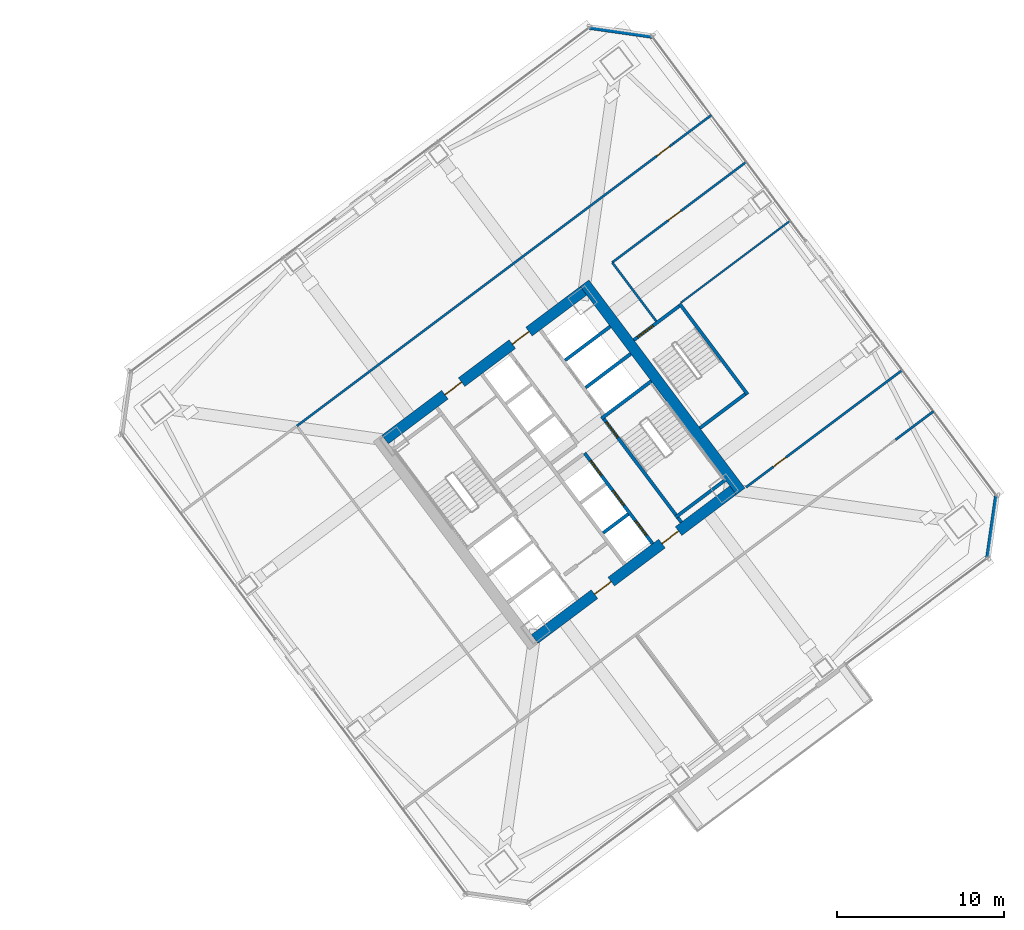
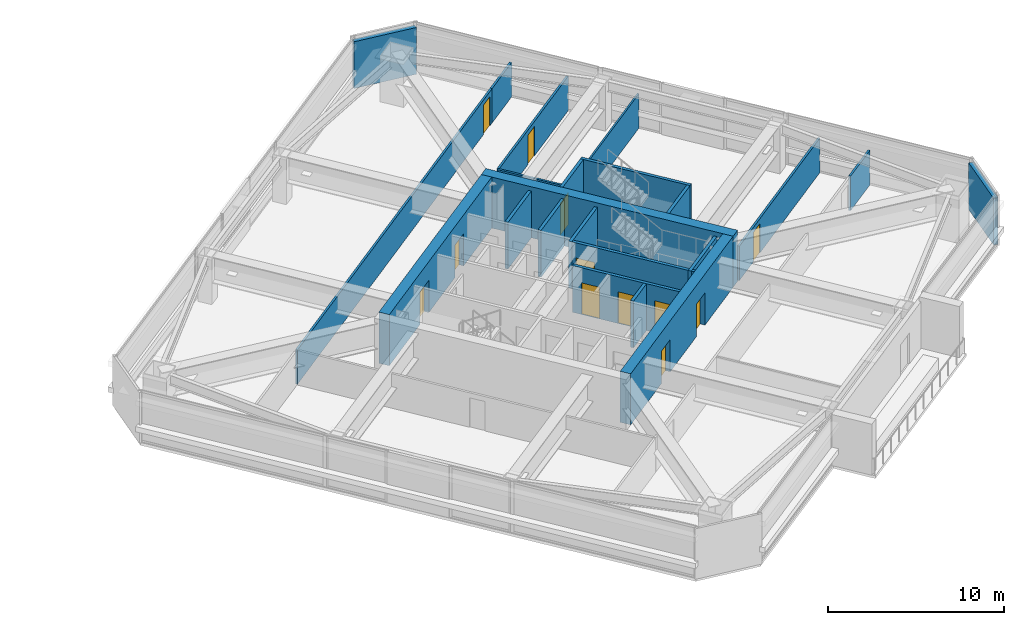
# One storey, part 41 of 49: 22 walls, 12 doors, 12 openings.
"""IFC4 building model written with IfcOpenShell, lengths in metres."""

import ifcopenshell
import ifcopenshell.guid

model = None  # the IFC model being written
_history = None  # IfcOwnerHistory: only IFC2X3 demands one
_inside = {}  # id of a spatial element -> (the spatial element, [elements in it])
_under = {}  # id of a project, library or spatial element -> (it, [spatial elements below it])
_declared = {}  # id of a project -> (the project, [libraries it declares])
_typed = {}  # id of a type object -> (the type object, [elements of that type])
_made_of = {}  # id of a material, layer set ... -> (it, [elements and type objects made of it])


def new_model(schema):
    """Start an empty IFC model of exactly this schema.

    Asked for "IFC4X3", IfcOpenShell would pick the latest addendum, in which some entities
    have other attributes; the version numbers below select the first issue.
    IFC2X3 requires an IfcOwnerHistory on every rooted entity: one is made here for all.
    """
    global model, _history
    if schema == "IFC4X3":
        model = ifcopenshell.file(schema_version=(4, 3, 0, 0))
    else:
        model = ifcopenshell.file(schema=schema)
    _inside.clear()
    _under.clear()
    _declared.clear()
    _typed.clear()
    _made_of.clear()
    _history = None
    if model.schema == "IFC2X3":
        org = make("IfcOrganization", Name="unknown")
        user = make(
            "IfcPersonAndOrganization",
            ThePerson=make("IfcPerson", FamilyName="unknown"),
            TheOrganization=org,
        )
        app = make(
            "IfcApplication",
            ApplicationDeveloper=org,
            Version="unknown",
            ApplicationFullName="unknown",
            ApplicationIdentifier="unknown",
        )
        _history = make(
            "IfcOwnerHistory",
            OwningUser=user,
            OwningApplication=app,
            ChangeAction="ADDED",
            CreationDate=0,
        )
    return model


def make(cls, **values):
    """One entity of the class cls with the attributes given. An attribute that is None is left unset."""
    return model.create_entity(
        cls, **{name: value for name, value in values.items() if value is not None}
    )


def rooted(cls, **values):
    """An entity with a GlobalId (a new one), such as an element, a storey or a relation."""
    return make(cls, GlobalId=ifcopenshell.guid.new(), OwnerHistory=_history, **values)


def si_unit(unit_type, name, prefix=None):
    """IfcSIUnit, for example si_unit("LENGTHUNIT", "METRE", prefix="MILLI")."""
    return make("IfcSIUnit", UnitType=unit_type, Prefix=prefix, Name=name)


def assignment(units):
    """IfcUnitAssignment: the units of a project."""
    return None if units is None else make("IfcUnitAssignment", Units=units)


def point(xyz):
    """IfcCartesianPoint."""
    return None if xyz is None else make("IfcCartesianPoint", Coordinates=xyz)


def direction(xyz):
    """IfcDirection."""
    return None if xyz is None else make("IfcDirection", DirectionRatios=xyz)


def frame(location, z_axis=None, x_axis=None):
    """IfcAxis2Placement3D, a coordinate frame: its origin and axes. An axis left out is left unset."""
    return make(
        "IfcAxis2Placement3D",
        Location=point(location),
        Axis=direction(z_axis),
        RefDirection=direction(x_axis),
    )


def frame_2d(location, x_axis=None):
    """IfcAxis2Placement2D, a coordinate frame in the plane: its origin and x axis."""
    return make(
        "IfcAxis2Placement2D", Location=point(location), RefDirection=direction(x_axis)
    )


def origin():
    """The frame at (0, 0, 0) with its axes left unset."""
    return frame((0.0, 0.0, 0.0))


def place(relative_to, where):
    """IfcLocalPlacement: puts the frame where relative to a parent placement (None: the world)."""
    return make(
        "IfcLocalPlacement", PlacementRelTo=relative_to, RelativePlacement=where
    )


def context(
    kind, dimensions, precision=None, world=None, true_north=None, identifier=None
):
    """IfcGeometricRepresentationContext, for example the 3D "Model" context."""
    return make(
        "IfcGeometricRepresentationContext",
        ContextIdentifier=identifier,
        ContextType=kind,
        CoordinateSpaceDimension=dimensions,
        Precision=precision,
        WorldCoordinateSystem=world,
        TrueNorth=true_north,
    )


def subcontext(parent, identifier, kind, view, scale=None):
    """IfcGeometricRepresentationSubContext, for example "Body" below "Model"."""
    return make(
        "IfcGeometricRepresentationSubContext",
        ContextIdentifier=identifier,
        ContextType=kind,
        ParentContext=parent,
        TargetScale=scale,
        TargetView=view,
    )


def project(units=None, contexts=None):
    """IfcProject with its units and contexts."""
    return rooted(
        "IfcProject",
        Name="project",
        RepresentationContexts=contexts,
        UnitsInContext=assignment(units),
    )


def spatial(cls, under=None, at=None, **own):
    """A site, building, storey or space (cls), placed at a placement, below another one or the project."""
    s = rooted(cls, ObjectPlacement=at, **own)
    if under is not None:
        _under.setdefault(under.id(), (under, []))[1].append(s)
    return s


def profile(cls, at=None, kind="AREA", **sizes):
    """A parametric profile (cls). Its sizes go by their IFC names, for example OverallWidth=200.0."""
    return make(cls, ProfileType=kind, Position=at, **sizes)


def rectangle(**sizes):
    """IfcRectangleProfileDef."""
    return profile("IfcRectangleProfileDef", **sizes)


def extrude(swept, where, along, depth):
    """IfcExtrudedAreaSolid: the profile swept, set in the frame where, extruded along a direction by depth."""
    return make(
        "IfcExtrudedAreaSolid",
        SweptArea=swept,
        Position=where,
        ExtrudedDirection=direction(along),
        Depth=depth,
    )


def shape(context_of_items, identifier, shape_type, items):
    """IfcShapeRepresentation: the items that make up one representation, for example the "Body"."""
    return make(
        "IfcShapeRepresentation",
        ContextOfItems=context_of_items,
        RepresentationIdentifier=identifier,
        RepresentationType=shape_type,
        Items=items,
    )


def material(Name=None, Category=None):
    """IfcMaterial."""
    return make("IfcMaterial", Name=Name, Category=Category)


def layer(
    of_material, thickness, ventilated=None, Name=None, Category=None, Priority=None
):
    """IfcMaterialLayer: one layer of a wall or slab, of a material (None: an air gap)."""
    return make(
        "IfcMaterialLayer",
        Material=of_material,
        LayerThickness=thickness,
        IsVentilated=ventilated,
        Name=Name,
        Category=Category,
        Priority=Priority,
    )


def layer_set(layers, Name=None):
    """IfcMaterialLayerSet."""
    return make("IfcMaterialLayerSet", MaterialLayers=layers, LayerSetName=Name)


def made_of(thing, what):
    """Note that an element or type object is made of a material, layer set ...; save() writes the relation."""
    if what is not None:
        _made_of.setdefault(what.id(), (what, []))[1].append(thing)
    return thing


def type_object(cls, material=None, **own):
    """A type object (cls), such as IfcWallType, which elements share."""
    return made_of(rooted(cls, **own), material)


def element(
    cls,
    number,
    at=None,
    inside=None,
    cuts=None,
    type_object=None,
    material=None,
    context=None,
    identifier="Body",
    shape_type=None,
    held_by="IfcProductDefinitionShape",
    body=None,
    shapes=None,
    **own,
):
    """One element of the class cls, such as IfcWall. Its Tag is "e" and its number.

    at: its placement. inside: the storey or other place that contains it. cuts: it is an
    opening in that element (IfcRelVoidsElement). A single representation is given by context,
    identifier, shape_type and body (its items); several are given by shapes. held_by: the class
    of the entity that holds the representations. save() writes the other relations.
    """
    e = rooted(cls, Tag="e%d" % number, ObjectPlacement=at, **own)
    if body is not None:
        shapes = [shape(context, identifier, shape_type, body)]
    if shapes is not None:
        e.Representation = make(held_by, Representations=shapes)
    if inside is not None:
        _inside.setdefault(inside.id(), (inside, []))[1].append(e)
    if cuts is not None:
        rooted(
            "IfcRelVoidsElement", RelatingBuildingElement=cuts, RelatedOpeningElement=e
        )
    if type_object is not None:
        _typed.setdefault(type_object.id(), (type_object, []))[1].append(e)
    return made_of(e, material)


def fill(opening, filler):
    """IfcRelFillsElement: the door or window that sits in an opening."""
    return rooted(
        "IfcRelFillsElement",
        RelatingOpeningElement=opening,
        RelatedBuildingElement=filler,
    )


def aggregate(whole, parts):
    """IfcRelAggregates: a whole, such as a stair, and the parts it consists of."""
    return rooted("IfcRelAggregates", RelatingObject=whole, RelatedObjects=parts)


def save(model, path):
    """Write the relations noted so far, then the file.

    IfcRelAggregates (storeys below a building ...), IfcRelContainedInSpatialStructure (elements
    in a storey), IfcRelDefinesByType, IfcRelAssociatesMaterial and IfcRelDeclares: one each for
    every whole, place, type object, material and project.
    """
    for whole, parts in _under.values():
        aggregate(whole, parts)
    for where, things in _inside.values():
        rooted(
            "IfcRelContainedInSpatialStructure",
            RelatedElements=things,
            RelatingStructure=where,
        )
    for kind, things in _typed.values():
        rooted("IfcRelDefinesByType", RelatedObjects=things, RelatingType=kind)
    for what, things in _made_of.values():
        rooted("IfcRelAssociatesMaterial", RelatedObjects=things, RelatingMaterial=what)
    for by, libraries in _declared.values():
        rooted("IfcRelDeclares", RelatingContext=by, RelatedDefinitions=libraries)
    model.write(path)


model = new_model("IFC4")

# Units and contexts
model_context = context("Model", 3, precision=1e-05, world=origin(), true_north=direction((0.0, 1.0)))
body_context = subcontext(model_context, "Body", "Model", "MODEL_VIEW")
ifc_project = project(units=[si_unit("LENGTHUNIT", "METRE"), si_unit("AREAUNIT", "SQUARE_METRE"), si_unit("VOLUMEUNIT", "CUBIC_METRE"), si_unit("PLANEANGLEUNIT", "RADIAN"), si_unit("MASSUNIT", "GRAM", prefix="KILO")], contexts=[model_context])

# Site, building, storey
site_placement = place(None, origin())
site = spatial("IfcSite", under=ifc_project, at=site_placement, CompositionType="ELEMENT")
building_placement = place(site_placement, origin())
building = spatial("IfcBuilding", under=site, at=building_placement, Name="Tashvorn Skyway Center", CompositionType="ELEMENT")
storey_placement = place(building_placement, frame((0.0, 0.0, 106.25)))
storey = spatial("IfcBuildingStorey", under=building, at=storey_placement, Name="L28", CompositionType="ELEMENT", Elevation=106.25)

# Wall
ifc_material_1 = material(Name="Concrete C60/75", Category="concrete")
ifc_layer_1 = layer(ifc_material_1, 0.64990234375)
ifc_layer_set_1 = layer_set([ifc_layer_1], Name="Concrete C60/75")
wall_type_1 = type_object("IfcWallType", Name="WALL-CORE-650", PredefinedType="SHEAR", material=ifc_layer_set_1)
wall_1_placement = place(storey_placement, frame((115.52392578125, 42.89306640625, 0.0), z_axis=(0.0, 0.0, 1.0), x_axis=(0.600005007985, -0.799996243986, 0.0)))
element("IfcWall", 1, at=wall_1_placement, inside=storey, type_object=wall_type_1, Name="Tower 2 L28 East Core Shear Wall", PredefinedType="SHEAR", context=body_context, shape_type="SweptSolid", body=[
    extrude(rectangle(XDim=15.60009765625, YDim=0.64990234375, at=frame_2d((7.800048828125, 0.0))), origin(), (0.0, 0.0, 1.0), 3.550048828125),
])

# Wall, openings, doors
wall_2_placement = place(storey_placement, frame((124.428955078125, 30.47802734375, 0.0), z_axis=(0.0, 0.0, 1.0), x_axis=(-0.799998028465, -0.600002628705, 0.0)))
wall_2 = element("IfcWall", 2, at=wall_2_placement, inside=storey, type_object=wall_type_1, Name="Tower 2 L28 South Core Shear Wall", PredefinedType="SHEAR", context=body_context, shape_type="SweptSolid", body=[
    extrude(rectangle(XDim=14.85986328125, YDim=0.64990234375, at=frame_2d((7.429931640625, 0.0))), origin(), (0.0, 0.0, 1.0), 3.550048828125),
])
opening_1_placement = place(wall_2_placement, frame((9.1298828125, 0.0, 0.0)))
opening_1 = element("IfcOpeningElement", 3, at=opening_1_placement, cuts=wall_2, Name="Opening D-FFL-1250", PredefinedType="OPENING", context=body_context, shape_type="SweptSolid", body=[
    extrude(rectangle(XDim=1.25, YDim=2.25, at=frame_2d((0.625, 1.125))), frame((0.0, 0.3349609375, 0.0), z_axis=(0.0, -1.0, 0.0), x_axis=(1.0, 0.0, 0.0)), (0.0, 0.0, 1.0), 0.669921875),
])
opening_2_placement = place(wall_2_placement, frame((4.080078125, 0.0, 0.0)))
opening_2 = element("IfcOpeningElement", 4, at=opening_2_placement, cuts=wall_2, Name="Opening D-FFL-1250", PredefinedType="OPENING", context=body_context, shape_type="SweptSolid", body=[
    extrude(rectangle(XDim=1.25, YDim=2.25, at=frame_2d((0.625, 1.125))), frame((0.0, 0.3349609375, 0.0), z_axis=(0.0, -1.0, 0.0), x_axis=(1.0, 0.0, 0.0)), (0.0, 0.0, 1.0), 0.669921875),
])
ifc_material_2 = material(Name="Hollow galvanized steel fire door assembly", Category="steel")
door_type_1 = type_object("IfcDoorType", Name="DOOR-FFL-1250", OperationType="NOTDEFINED", PredefinedType="DOOR", material=ifc_material_2)
door_1_placement = place(opening_1_placement, origin())
door_1 = element("IfcDoor", 5, at=door_1_placement, inside=storey, type_object=door_type_1, Name="Tower 2 L28 Core South Firefighting Exit Door", OperationType="SINGLE_SWING_LEFT", OverallHeight=2.25, OverallWidth=1.25, PredefinedType="DOOR", context=body_context, shape_type="SweptSolid", body=[
    extrude(rectangle(XDim=1.25, YDim=2.25, at=frame_2d((0.625, 1.125))), frame((0.0, 0.02490234375, 0.0), z_axis=(0.0, -1.0, 0.0), x_axis=(1.0, 0.0, 0.0)), (0.0, 0.0, 1.0), 0.050048828125),
])
fill(opening_1, door_1)
door_2_placement = place(opening_2_placement, origin())
door_2 = element("IfcDoor", 6, at=door_2_placement, inside=storey, type_object=door_type_1, Name="Tower 2 L28 Core South Lift Lobby Door", OperationType="SINGLE_SWING_RIGHT", OverallHeight=2.25, OverallWidth=1.25, PredefinedType="DOOR", context=body_context, shape_type="SweptSolid", body=[
    extrude(rectangle(XDim=1.25, YDim=2.25, at=frame_2d((0.625, 1.125))), frame((0.0, 0.02490234375, 0.0), z_axis=(0.0, -1.0, 0.0), x_axis=(1.0, 0.0, 0.0)), (0.0, 0.0, 1.0), 0.050048828125),
])
fill(opening_2, door_2)

wall_3_placement = place(storey_placement, frame((103.571044921875, 33.52197265625, 0.0), z_axis=(0.0, 0.0, 1.0), x_axis=(0.799998028465, 0.600002628705, 0.0)))
wall_3 = element("IfcWall", 7, at=wall_3_placement, inside=storey, type_object=wall_type_1, Name="Tower 2 L28 North Core Shear Wall", PredefinedType="SHEAR", context=body_context, shape_type="SweptSolid", body=[
    extrude(rectangle(XDim=14.85986328125, YDim=0.64990234375, at=frame_2d((7.429931640625, 0.0))), origin(), (0.0, 0.0, 1.0), 3.550048828125),
])
opening_3_placement = place(wall_3_placement, frame((4.47998046875, 0.0, 0.0)))
opening_3 = element("IfcOpeningElement", 8, at=opening_3_placement, cuts=wall_3, Name="Opening D-FFL-1250", PredefinedType="OPENING", context=body_context, shape_type="SweptSolid", body=[
    extrude(rectangle(XDim=1.25, YDim=2.25, at=frame_2d((0.625, 1.125))), frame((0.0, 0.3349609375, 0.0), z_axis=(0.0, -1.0, 0.0), x_axis=(1.0, 0.0, 0.0)), (0.0, 0.0, 1.0), 0.669921875),
])
opening_4_placement = place(wall_3_placement, frame((9.530029296875, 0.0, 0.0)))
opening_4 = element("IfcOpeningElement", 9, at=opening_4_placement, cuts=wall_3, Name="Opening D-FFL-1250", PredefinedType="OPENING", context=body_context, shape_type="SweptSolid", body=[
    extrude(rectangle(XDim=1.25, YDim=2.25, at=frame_2d((0.625, 1.125))), frame((0.0, 0.3349609375, 0.0), z_axis=(0.0, -1.0, 0.0), x_axis=(1.0, 0.0, 0.0)), (0.0, 0.0, 1.0), 0.669921875),
])
door_3_placement = place(opening_3_placement, origin())
door_3 = element("IfcDoor", 10, at=door_3_placement, inside=storey, type_object=door_type_1, Name="Tower 2 L28 Core North Service Lobby Door", OperationType="SINGLE_SWING_LEFT", OverallHeight=2.25, OverallWidth=1.25, PredefinedType="DOOR", context=body_context, shape_type="SweptSolid", body=[
    extrude(rectangle(XDim=1.25, YDim=2.25, at=frame_2d((0.625, 1.125))), frame((0.0, 0.02490234375, 0.0), z_axis=(0.0, -1.0, 0.0), x_axis=(1.0, 0.0, 0.0)), (0.0, 0.0, 1.0), 0.050048828125),
])
fill(opening_3, door_3)
door_4_placement = place(opening_4_placement, origin())
door_4 = element("IfcDoor", 11, at=door_4_placement, inside=storey, type_object=door_type_1, Name="Tower 2 L28 Core North Lift Lobby Door", OperationType="SINGLE_SWING_RIGHT", OverallHeight=2.25, OverallWidth=1.25, PredefinedType="DOOR", context=body_context, shape_type="SweptSolid", body=[
    extrude(rectangle(XDim=1.25, YDim=2.25, at=frame_2d((0.625, 1.125))), frame((0.0, 0.02490234375, 0.0), z_axis=(0.0, -1.0, 0.0), x_axis=(1.0, 0.0, 0.0)), (0.0, 0.0, 1.0), 0.050048828125),
])
fill(opening_4, door_4)

# Walls
ifc_material_3 = material(Name="Precast concrete C40/50", Category="concrete")
ifc_layer_2 = layer(ifc_material_3, 0.280029296875)
ifc_layer_set_2 = layer_set([ifc_layer_2], Name="Precast concrete C40/50")
wall_type_2 = type_object("IfcWallType", Name="WALL-EXT-280", PredefinedType="SOLIDWALL", material=ifc_layer_set_2)
for number, where, z_axis, x_axis, name in (
    (12, (115.820068359375, 58.239990234375, 0.0), (0.0, 0.0, 1.0), (0.989948214866, -0.141430307517, 0.0), "Tower 2 L28 NE Precast Chamfer Wall"),
    (13, (140.239990234375, 30.179931640625, 0.0), (0.0, 0.0, 1.0), (-0.141430307517, -0.989948214866, 0.0), "Tower 2 L28 SE Precast Chamfer Wall"),
):
    element("IfcWall", number, at=place(storey_placement, frame(where, z_axis=z_axis, x_axis=x_axis)), inside=storey, type_object=wall_type_2, Name=name, PredefinedType="SOLIDWALL", context=body_context, shape_type="SweptSolid", body=[
        extrude(rectangle(XDim=3.818359375, YDim=0.280029296875, at=frame_2d((1.9091796875, 0.0))), origin(), (0.0, 0.0, 1.0), 3.25),
    ])
ifc_material_4 = material(Name="Gypsum board on cold-formed steel stud framing", Category="steel")
ifc_layer_3 = layer(ifc_material_4, 0.110107421875)
ifc_layer_set_3 = layer_set([ifc_layer_3], Name="Gypsum board on cold-formed steel stud framing")
wall_type_3 = type_object("IfcWallType", Name="WALL-PART-110", PredefinedType="PARTITIONING", material=ifc_layer_set_3)
wall_4_placement = place(storey_placement, frame((127.864013671875, 46.64794921875, 0.0), z_axis=(0.0, 0.0, 1.0), x_axis=(-0.800007145523, -0.599990472518, 0.0)))
element("IfcWall", 14, at=wall_4_placement, inside=storey, type_object=wall_type_3, Name="Tower 2 L28 East Suite Partition 1", PredefinedType="PARTITIONING", context=body_context, shape_type="SweptSolid", body=[
    extrude(rectangle(XDim=8.199951171875, YDim=0.110107421875, at=frame_2d((4.10009765625, 0.0))), origin(), (0.0, 0.0, 1.0), 2.39306640625),
])
ifc_layer_4 = layer(ifc_material_4, 0.135009765625)
ifc_layer_set_4 = layer_set([ifc_layer_4], Name="Gypsum board on cold-formed steel stud framing")
wall_type_4 = type_object("IfcWallType", Name="WALL-PART-135", PredefinedType="PARTITIONING", material=ifc_layer_set_4)
wall_5_placement = place(storey_placement, frame((119.823974609375, 40.617919921875, 0.0), z_axis=(0.0, 0.0, 1.0), x_axis=(-0.599982243973, 0.800013316712, 0.0)))
element("IfcWall", 15, at=wall_5_placement, inside=storey, type_object=wall_type_4, Name="Tower 2 L28 Stair 3 Access Corridor Wall", PredefinedType="PARTITIONING", context=body_context, shape_type="SweptSolid", body=[
    extrude(rectangle(XDim=4.39990234375, YDim=0.135009765625, at=frame_2d((2.199951171875, 0.0))), origin(), (0.0, 0.0, 1.0), 2.39306640625),
])

# Wall, opening, door
wall_6_placement = place(storey_placement, frame((98.27587890625, 34.33203125, 0.0), z_axis=(0.0, 0.0, 1.0), x_axis=(0.800003113347, 0.599995848849, 0.0)))
wall_6 = element("IfcWall", 16, at=wall_6_placement, inside=storey, type_object=wall_type_4, Name="Tower 2 L28 North Suite Wall", PredefinedType="PARTITIONING", context=body_context, shape_type="SweptSolid", body=[
    extrude(rectangle(XDim=28.230224609375, YDim=0.135009765625, at=frame_2d((14.115234375, 0.0))), origin(), (0.0, 0.0, 1.0), 2.39306640625),
])
opening_5_placement = place(wall_6_placement, frame((26.97998046875, 0.0, 0.0)))
opening_5 = element("IfcOpeningElement", 17, at=opening_5_placement, cuts=wall_6, Name="Opening D-INT-950", PredefinedType="OPENING", context=body_context, shape_type="SweptSolid", body=[
    extrude(rectangle(XDim=0.949951171875, YDim=2.050048828125, at=frame_2d((0.47509765625, 1.02490234375))), frame((0.0, 0.077392578125, 0.0), z_axis=(0.0, -1.0, 0.0), x_axis=(1.0, 0.0, 0.0)), (0.0, 0.0, 1.0), 0.155029296875),
])
ifc_material_5 = material(Name="Solid-core architectural oak veneer door")
door_type_2 = type_object("IfcDoorType", Name="DOOR-INT-950", OperationType="NOTDEFINED", PredefinedType="DOOR", material=ifc_material_5)
door_5_placement = place(opening_5_placement, origin())
door_5 = element("IfcDoor", 18, at=door_5_placement, inside=storey, type_object=door_type_2, Name="Tower 2 L28 Operations Control Room Door", OperationType="SINGLE_SWING_RIGHT", OverallHeight=2.050048828125, OverallWidth=0.949951171875, PredefinedType="DOOR", context=body_context, shape_type="SweptSolid", body=[
    extrude(rectangle(XDim=0.949951171875, YDim=2.050048828125, at=frame_2d((0.47509765625, 1.02490234375))), frame((0.0, 0.02490234375, 0.0), z_axis=(0.0, -1.0, 0.0), x_axis=(1.0, 0.0, 0.0)), (0.0, 0.0, 1.0), 0.050048828125),
])
fill(opening_5, door_5)

# Walls
wall_7_placement = place(storey_placement, frame((120.860107421875, 51.27001953125, 0.0), z_axis=(0.0, 0.0, 1.0), x_axis=(0.799989647378, 0.600013803248, 0.0)))
element("IfcWall", 19, at=wall_7_placement, inside=storey, type_object=wall_type_4, Name="Tower 2 L28 North-East Suite South Wall", PredefinedType="PARTITIONING", context=body_context, shape_type="SweptSolid", body=[
    extrude(rectangle(XDim=2.829833984375, YDim=0.135009765625, at=frame_2d((1.4150390625, 0.0))), origin(), (0.0, 0.0, 1.0), 2.39306640625),
])
wall_8_placement = place(storey_placement, frame((134.179931640625, 33.510009765625, 0.0), z_axis=(0.0, 0.0, 1.0), x_axis=(0.8000207031, 0.599972394874, 0.0)))
element("IfcWall", 20, at=wall_8_placement, inside=storey, type_object=wall_type_4, Name="Tower 2 L28 South-East Suite North Wall", PredefinedType="PARTITIONING", context=body_context, shape_type="SweptSolid", body=[
    extrude(rectangle(XDim=2.830078125, YDim=0.135009765625, at=frame_2d((1.4150390625, 0.0))), origin(), (0.0, 0.0, 1.0), 2.39306640625),
])

# Wall, opening, door
wall_9_placement = place(storey_placement, frame((125.22412109375, 50.16796875, 0.0), z_axis=(0.0, 0.0, 1.0), x_axis=(-0.8, -0.6, 0.0)))
wall_9 = element("IfcWall", 21, at=wall_9_placement, inside=storey, type_object=wall_type_4, Name="Tower 2 L28 East Suite North Wall", PredefinedType="PARTITIONING", context=body_context, shape_type="SweptSolid", body=[
    extrude(rectangle(XDim=10.050048828125, YDim=0.135009765625, at=frame_2d((5.02490234375, 0.0))), origin(), (0.0, 0.0, 1.0), 2.39306640625),
])
opening_6_placement = place(wall_9_placement, frame((4.89990234375, 0.0, 0.0)))
opening_6 = element("IfcOpeningElement", 22, at=opening_6_placement, cuts=wall_9, Name="Opening D-INT-950", PredefinedType="OPENING", context=body_context, shape_type="SweptSolid", body=[
    extrude(rectangle(XDim=0.949951171875, YDim=2.050048828125, at=frame_2d((0.47509765625, 1.02490234375))), frame((0.0, 0.077392578125, 0.0), z_axis=(0.0, -1.0, 0.0), x_axis=(1.0, 0.0, 0.0)), (0.0, 0.0, 1.0), 0.155029296875),
])
door_6_placement = place(opening_6_placement, origin())
door_6 = element("IfcDoor", 23, at=door_6_placement, inside=storey, type_object=door_type_2, Name="Tower 2 L28 Wellness Clinic Door", OperationType="SINGLE_SWING_LEFT", OverallHeight=2.050048828125, OverallWidth=0.949951171875, PredefinedType="DOOR", context=body_context, shape_type="SweptSolid", body=[
    extrude(rectangle(XDim=0.949951171875, YDim=2.050048828125, at=frame_2d((0.47509765625, 1.02490234375))), frame((0.0, 0.02490234375, 0.0), z_axis=(0.0, -1.0, 0.0), x_axis=(1.0, 0.0, 0.0)), (0.0, 0.0, 1.0), 0.050048828125),
])
fill(opening_6, door_6)

wall_10_placement = place(storey_placement, frame((125.2080078125, 30.656005859375, 0.0), z_axis=(0.0, 0.0, 1.0), x_axis=(0.8, 0.6, 0.0)))
wall_10 = element("IfcWall", 24, at=wall_10_placement, inside=storey, type_object=wall_type_4, Name="Tower 2 L28 East Suite South Wall", PredefinedType="PARTITIONING", context=body_context, shape_type="SweptSolid", body=[
    extrude(rectangle(XDim=11.719970703125, YDim=0.135009765625, at=frame_2d((5.85986328125, 0.0))), origin(), (0.0, 0.0, 1.0), 2.39306640625),
])
opening_7_placement = place(wall_10_placement, frame((2.044921875, 0.0, 0.0)))
opening_7 = element("IfcOpeningElement", 25, at=opening_7_placement, cuts=wall_10, Name="Opening D-INT-950", PredefinedType="OPENING", context=body_context, shape_type="SweptSolid", body=[
    extrude(rectangle(XDim=0.949951171875, YDim=2.050048828125, at=frame_2d((0.47509765625, 1.02490234375))), frame((0.0, 0.077392578125, 0.0), z_axis=(0.0, -1.0, 0.0), x_axis=(1.0, 0.0, 0.0)), (0.0, 0.0, 1.0), 0.155029296875),
])
door_7_placement = place(opening_7_placement, origin())
door_7 = element("IfcDoor", 26, at=door_7_placement, inside=storey, type_object=door_type_2, Name="Tower 2 L28 Public Restroom Door", OperationType="SINGLE_SWING_RIGHT", OverallHeight=2.050048828125, OverallWidth=0.949951171875, PredefinedType="DOOR", context=body_context, shape_type="SweptSolid", body=[
    extrude(rectangle(XDim=0.949951171875, YDim=2.050048828125, at=frame_2d((0.47509765625, 1.02490234375))), frame((0.0, 0.02490234375, 0.0), z_axis=(0.0, -1.0, 0.0), x_axis=(1.0, 0.0, 0.0)), (0.0, 0.0, 1.0), 0.050048828125),
])
fill(opening_7, door_7)

# Walls
ifc_material_6 = material(Name="Concrete C40/50", Category="concrete")
ifc_layer_5 = layer(ifc_material_6, 0.199951171875)
ifc_layer_set_5 = layer_set([ifc_layer_5], Name="Concrete C40/50")
wall_type_5 = type_object("IfcWallType", Name="WALL-SHAFT-200", PredefinedType="SOLIDWALL", material=ifc_layer_set_5)
for number, where, z_axis, x_axis, name in (
    (27, (115.590087890625, 36.6298828125, 0.0), (0.0, 0.0, 1.0), (0.799973995579, 0.600034670996, 0.0), "Tower 2 L28 High-Rise Shaft Divider"),
    (28, (114.360107421875, 38.27001953125, 0.0), (0.0, 0.0, 1.0), (0.799973995579, 0.600034670996, 0.0), "Tower 2 L28 High-Rise Shaft Divider"),
):
    element("IfcWall", number, at=place(storey_placement, frame(where, z_axis=z_axis, x_axis=x_axis)), inside=storey, type_object=wall_type_5, Name=name, PredefinedType="SOLIDWALL", context=body_context, shape_type="SweptSolid", body=[
        extrude(rectangle(XDim=3.3798828125, YDim=0.199951171875, at=frame_2d((1.68994140625, 0.0))), origin(), (0.0, 0.0, 1.0), 3.25),
    ])

# Wall, openings, doors
wall_11_placement = place(storey_placement, frame((119.610107421875, 27.27001953125, 0.0), z_axis=(0.0, 0.0, 1.0), x_axis=(-0.600011488909, 0.79999138319, 0.0)))
wall_11 = element("IfcWall", 29, at=wall_11_placement, inside=storey, type_object=wall_type_5, Name="Tower 2 L28 Low-Rise Core Wall", PredefinedType="SOLIDWALL", context=body_context, shape_type="SweptSolid", body=[
    extrude(rectangle(XDim=6.800048828125, YDim=0.199951171875, at=frame_2d((3.39990234375, 0.0))), origin(), (0.0, 0.0, 1.0), 3.25),
])
opening_8_placement = place(wall_11_placement, frame((0.625, 0.0, 0.0)))
opening_8 = element("IfcOpeningElement", 30, at=opening_8_placement, cuts=wall_11, Name="Opening LD-LR-T2-1-L28", PredefinedType="OPENING", context=body_context, shape_type="SweptSolid", body=[
    extrude(rectangle(XDim=1.10009765625, YDim=2.199951171875, at=frame_2d((0.550048828125, 1.10009765625))), frame((0.0, 0.10986328125, 0.0), z_axis=(0.0, -1.0, 0.0), x_axis=(1.0, 0.0, 0.0)), (0.0, 0.0, 1.0), 0.219970703125),
])
opening_9_placement = place(wall_11_placement, frame((2.875, 0.0, 0.0)))
opening_9 = element("IfcOpeningElement", 31, at=opening_9_placement, cuts=wall_11, Name="Opening LD-LR-T2-2-L28", PredefinedType="OPENING", context=body_context, shape_type="SweptSolid", body=[
    extrude(rectangle(XDim=1.10009765625, YDim=2.199951171875, at=frame_2d((0.550048828125, 1.10009765625))), frame((0.0, 0.10986328125, 0.0), z_axis=(0.0, -1.0, 0.0), x_axis=(1.0, 0.0, 0.0)), (0.0, 0.0, 1.0), 0.219970703125),
])
opening_10_placement = place(wall_11_placement, frame((5.125, 0.0, 0.0)))
opening_10 = element("IfcOpeningElement", 32, at=opening_10_placement, cuts=wall_11, Name="Opening LD-LR-T2-3-L28", PredefinedType="OPENING", context=body_context, shape_type="SweptSolid", body=[
    extrude(rectangle(XDim=1.10009765625, YDim=2.199951171875, at=frame_2d((0.550048828125, 1.10009765625))), frame((0.0, 0.10986328125, 0.0), z_axis=(0.0, -1.0, 0.0), x_axis=(1.0, 0.0, 0.0)), (0.0, 0.0, 1.0), 0.219970703125),
])
ifc_material_7 = material(Name="Stainless steel landing door", Category="steel")
door_type_3 = type_object("IfcDoorType", Name="DOOR-LIFT-1100", OperationType="SLIDING_TO_LEFT", PredefinedType="DOOR", material=ifc_material_7)
door_8_placement = place(opening_8_placement, origin())
door_8 = element("IfcDoor", 33, at=door_8_placement, inside=storey, type_object=door_type_3, Name="Lift LR-T2-1 L28 Landing Door", OperationType="SLIDING_TO_LEFT", OverallHeight=2.199951171875, OverallWidth=1.10009765625, PredefinedType="DOOR", context=body_context, shape_type="SweptSolid", body=[
    extrude(rectangle(XDim=1.10009765625, YDim=2.199951171875, at=frame_2d((0.550048828125, 1.10009765625))), frame((0.0, 0.02490234375, 0.0), z_axis=(0.0, -1.0, 0.0), x_axis=(1.0, 0.0, 0.0)), (0.0, 0.0, 1.0), 0.050048828125),
])
fill(opening_8, door_8)
door_9_placement = place(opening_9_placement, origin())
door_9 = element("IfcDoor", 34, at=door_9_placement, inside=storey, type_object=door_type_3, Name="Lift LR-T2-2 L28 Landing Door", OperationType="SLIDING_TO_LEFT", OverallHeight=2.199951171875, OverallWidth=1.10009765625, PredefinedType="DOOR", context=body_context, shape_type="SweptSolid", body=[
    extrude(rectangle(XDim=1.10009765625, YDim=2.199951171875, at=frame_2d((0.550048828125, 1.10009765625))), frame((0.0, 0.02490234375, 0.0), z_axis=(0.0, -1.0, 0.0), x_axis=(1.0, 0.0, 0.0)), (0.0, 0.0, 1.0), 0.050048828125),
])
fill(opening_9, door_9)
door_10_placement = place(opening_10_placement, origin())
door_10 = element("IfcDoor", 35, at=door_10_placement, inside=storey, type_object=door_type_3, Name="Lift LR-T2-3 L28 Landing Door", OperationType="SLIDING_TO_LEFT", OverallHeight=2.199951171875, OverallWidth=1.10009765625, PredefinedType="DOOR", context=body_context, shape_type="SweptSolid", body=[
    extrude(rectangle(XDim=1.10009765625, YDim=2.199951171875, at=frame_2d((0.550048828125, 1.10009765625))), frame((0.0, 0.02490234375, 0.0), z_axis=(0.0, -1.0, 0.0), x_axis=(1.0, 0.0, 0.0)), (0.0, 0.0, 1.0), 0.050048828125),
])
fill(opening_10, door_10)

# Wall
wall_12_placement = place(storey_placement, frame((116.64599609375, 27.922119140625, 0.0), z_axis=(0.0, 0.0, 1.0), x_axis=(0.8, 0.6, 0.0)))
element("IfcWall", 36, at=wall_12_placement, inside=storey, type_object=wall_type_5, Name="Tower 2 L28 Low-Rise Shaft Divider", PredefinedType="SOLIDWALL", context=body_context, shape_type="SweptSolid", body=[
    extrude(rectangle(XDim=1.8798828125, YDim=0.199951171875, at=frame_2d((0.93994140625, 0.0))), origin(), (0.0, 0.0, 1.0), 3.25),
])

# Wall, opening, door
ifc_layer_6 = layer(ifc_material_6, 0.199951171875)
ifc_layer_set_6 = layer_set([ifc_layer_6], Name="Concrete C40/50")
wall_type_6 = type_object("IfcWallType", Name="WALL-STSHF-200", PredefinedType="SHEAR", material=ifc_layer_set_6)
wall_13_placement = place(storey_placement, frame((116.56005859375, 34.919921875, 0.0), z_axis=(0.0, 0.0, 1.0), x_axis=(0.600009827119, -0.799992629566, 0.0)))
wall_13 = element("IfcWall", 37, at=wall_13_placement, inside=storey, type_object=wall_type_6, Name="Tower 2 L28 Stair 2 Enclosure Wall", PredefinedType="SHEAR", context=body_context, shape_type="SweptSolid", body=[
    extrude(rectangle(XDim=7.949951171875, YDim=0.199951171875, at=frame_2d((3.97509765625, 0.0))), origin(), (0.0, 0.0, 1.0), 3.25),
])
opening_11_placement = place(wall_13_placement, frame((0.449951171875, 0.0, 0.0)))
opening_11 = element("IfcOpeningElement", 38, at=opening_11_placement, cuts=wall_13, Name="Opening D-ST-1150", PredefinedType="OPENING", context=body_context, shape_type="SweptSolid", body=[
    extrude(rectangle(XDim=1.14990234375, YDim=2.199951171875, at=frame_2d((0.574951171875, 1.10009765625))), frame((0.0, 0.10986328125, 0.0), z_axis=(0.0, -1.0, 0.0), x_axis=(1.0, 0.0, 0.0)), (0.0, 0.0, 1.0), 0.219970703125),
])
door_type_4 = type_object("IfcDoorType", Name="DOOR-STAIR-1150", OperationType="NOTDEFINED", PredefinedType="DOOR", material=ifc_material_2)
door_11_placement = place(opening_11_placement, origin())
door_11 = element("IfcDoor", 39, at=door_11_placement, inside=storey, type_object=door_type_4, Name="Tower 2 L28 Exit Stair 2 Door", OperationType="SINGLE_SWING_RIGHT", OverallHeight=2.199951171875, OverallWidth=1.14990234375, PredefinedType="DOOR", context=body_context, shape_type="SweptSolid", body=[
    extrude(rectangle(XDim=1.14990234375, YDim=2.199951171875, at=frame_2d((0.574951171875, 1.10009765625))), frame((0.0, 0.02490234375, 0.0), z_axis=(0.0, -1.0, 0.0), x_axis=(1.0, 0.0, 0.0)), (0.0, 0.0, 1.0), 0.050048828125),
])
fill(opening_11, door_11)

# Walls
for number, where, z_axis, x_axis, name in (
    (40, (116.5400390625, 34.780029296875, 0.0), (0.0, 0.0, 1.0), (0.799984290658, 0.600020945218, 0.0), "Tower 2 L28 Stair 2 North Wall"),
    (41, (120.97998046875, 28.860107421875, 0.0), (0.0, 0.0, 1.0), (0.800039270442, 0.59994763584, 0.0), "Tower 2 L28 Stair 2 South Wall"),
):
    element("IfcWall", number, at=place(storey_placement, frame(where, z_axis=z_axis, x_axis=x_axis)), inside=storey, type_object=wall_type_6, Name=name, PredefinedType="SHEAR", context=body_context, shape_type="SweptSolid", body=[
        extrude(rectangle(XDim=3.72998046875, YDim=0.199951171875, at=frame_2d((1.864990234375, 0.0))), origin(), (0.0, 0.0, 1.0), 3.25),
    ])
wall_14_placement = place(storey_placement, frame((125.303955078125, 36.22802734375, 0.0), z_axis=(0.0, 0.0, 1.0), x_axis=(-0.59998851072, 0.800008616831, 0.0)))
element("IfcWall", 42, at=wall_14_placement, inside=storey, type_object=wall_type_6, Name="Tower 2 L28 Stair 3 Outer Wall", PredefinedType="SHEAR", context=body_context, shape_type="SweptSolid", body=[
    extrude(rectangle(XDim=6.7998046875, YDim=0.199951171875, at=frame_2d((3.39990234375, 0.0))), origin(), (0.0, 0.0, 1.0), 3.25),
])

# Wall, opening, door
wall_15_placement = place(storey_placement, frame((121.2041015625, 41.528076171875, 0.0), z_axis=(0.0, 0.0, 1.0), x_axis=(-0.800017232136, -0.599977023131, 0.0)))
wall_15 = element("IfcWall", 43, at=wall_15_placement, inside=storey, type_object=wall_type_6, Name="Tower 2 L28 Stair 3 Enclosure Wall", PredefinedType="SHEAR", context=body_context, shape_type="SweptSolid", body=[
    extrude(rectangle(XDim=3.400146484375, YDim=0.199951171875, at=frame_2d((1.7001953125, 0.0))), origin(), (0.0, 0.0, 1.0), 3.25),
])
opening_12_placement = place(wall_15_placement, frame((1.97509765625, 0.0, 0.0)))
opening_12 = element("IfcOpeningElement", 44, at=opening_12_placement, cuts=wall_15, Name="Opening D-ST-1150", PredefinedType="OPENING", context=body_context, shape_type="SweptSolid", body=[
    extrude(rectangle(XDim=1.14990234375, YDim=2.199951171875, at=frame_2d((0.574951171875, 1.10009765625))), frame((0.0, 0.10986328125, 0.0), z_axis=(0.0, -1.0, 0.0), x_axis=(1.0, 0.0, 0.0)), (0.0, 0.0, 1.0), 0.219970703125),
])
door_12_placement = place(opening_12_placement, origin())
door_12 = element("IfcDoor", 45, at=door_12_placement, inside=storey, type_object=door_type_4, Name="Tower 2 L28 Exit Stair 3 Door", OperationType="SINGLE_SWING_RIGHT", OverallHeight=2.199951171875, OverallWidth=1.14990234375, PredefinedType="DOOR", context=body_context, shape_type="SweptSolid", body=[
    extrude(rectangle(XDim=1.14990234375, YDim=2.199951171875, at=frame_2d((0.574951171875, 1.10009765625))), frame((0.0, 0.02490234375, 0.0), z_axis=(0.0, -1.0, 0.0), x_axis=(1.0, 0.0, 0.0)), (0.0, 0.0, 1.0), 0.050048828125),
])
fill(opening_12, door_12)

# Wall
wall_16_placement = place(storey_placement, frame((122.444091796875, 34.2080078125, 0.0), z_axis=(0.0, 0.0, 1.0), x_axis=(0.79999138319, 0.600011488909, 0.0)))
element("IfcWall", 46, at=wall_16_placement, inside=storey, type_object=wall_type_6, Name="Tower 2 L28 Stair 3 South Wall", PredefinedType="SHEAR", context=body_context, shape_type="SweptSolid", body=[
    extrude(rectangle(XDim=3.39990234375, YDim=0.199951171875, at=frame_2d((1.699951171875, 0.0))), origin(), (0.0, 0.0, 1.0), 3.25),
])

save(model, "model.ifc")
